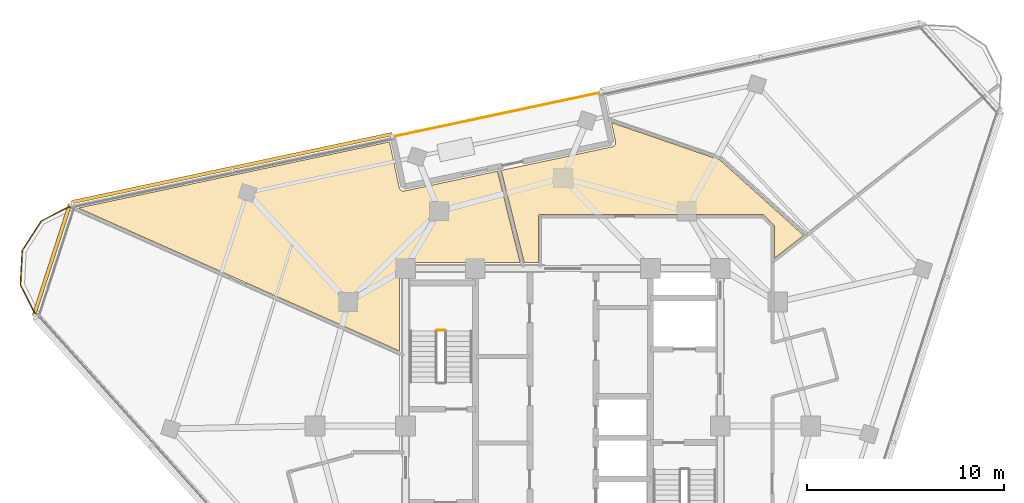
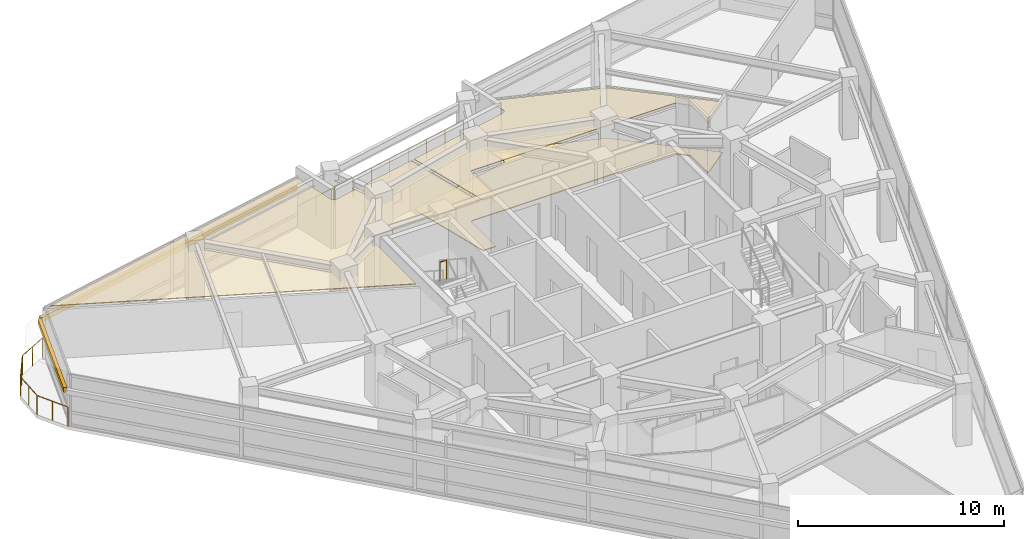
# One storey, part 14 of 15: 3 coverings, 3 railings, 2 shading devices.
"""IFC4 building model written with IfcOpenShell, lengths in metres."""

from ifc_helpers import new_model, si_unit, direction, frame, origin, origin_2d, place, context, subcontext, project, spatial, polyline, rectangle, circle, outline, extrude, material, layer, layer_set, type_object, element, save


model = new_model("IFC4")

# Units and contexts
model_context = context("Model", 3, precision=1e-05, world=origin(), true_north=direction((0.0, 1.0)))
body_context = subcontext(model_context, "Body", "Model", "MODEL_VIEW")
ifc_project = project(units=[si_unit("LENGTHUNIT", "METRE"), si_unit("AREAUNIT", "SQUARE_METRE"), si_unit("VOLUMEUNIT", "CUBIC_METRE"), si_unit("PLANEANGLEUNIT", "RADIAN"), si_unit("MASSUNIT", "GRAM", prefix="KILO")], contexts=[model_context])

# Site, building, storey
site_placement = place(None, origin())
site = spatial("IfcSite", under=ifc_project, at=site_placement, CompositionType="ELEMENT")
building_placement = place(site_placement, origin())
building = spatial("IfcBuilding", under=site, at=building_placement, Name="Terralouvre Media Tower", CompositionType="ELEMENT")
storey_placement = place(building_placement, frame((0.0, 0.0, 290.60009765625)))
storey = spatial("IfcBuildingStorey", under=building, at=storey_placement, Name="L75", CompositionType="ELEMENT", Elevation=290.60009765625)

# Coverings
ifc_material_1 = material(Name="Resilient elastomer acoustic broadcast studio flooring")
ifc_layer_1 = layer(ifc_material_1, 0.050048828125, Name="Broadcast Studio Acoustic Floating Floor FL-AC1")
ifc_layer_set_1 = layer_set([ifc_layer_1], Name="Resilient elastomer acoustic broadcast studio flooring")
covering_type_1 = type_object("IfcCoveringType", Name="Broadcast Studio Acoustic Floating Floor FL-AC1", PredefinedType="FLOORING", material=ifc_layer_set_1)
covering_1_placement = place(storey_placement, frame((0.0, 0.0, 0.0), z_axis=(0.0, 0.0, 1.0), x_axis=(0.309016994375, 0.951056516295, 0.0)))
element("IfcCovering", 1, at=covering_1_placement, inside=storey, type_object=covering_type_1, Name="L75 Media Reference Library 7 Acoustic Floating Floor", PredefinedType="FLOORING", context=body_context, shape_type="SweptSolid", body=[
    extrude(outline(polyline([(7.51708984375, 3.7568359375), (9.742431640625, 4.479736328125), (9.751953125, 4.482421875), (9.76171875, 4.484130859375), (9.771484375, 4.484619140625), (9.78125, 4.484375), (9.791015625, 4.483154296875), (9.800537109375, 4.48095703125), (9.809814453125, 4.477783203125), (9.81884765625, 4.473876953125), (9.827392578125, 4.468994140625), (9.835205078125, 4.46337890625), (9.8427734375, 4.456787109375), (9.849365234375, 4.44970703125), (9.85546875, 4.44189453125), (9.860595703125, 4.43359375), (9.864990234375, 4.4248046875), (9.868408203125, 4.41552734375), (13.3603515625, -6.331298828125), (13.363037109375, -6.3408203125), (13.364501953125, -6.350341796875), (13.365234375, -6.360107421875), (13.364990234375, -6.3701171875), (13.36376953125, -6.379638671875), (13.361572265625, -6.389404296875), (13.3583984375, -6.398681640625), (13.354248046875, -6.407470703125), (13.033447265625, -7.03759765625), (13.0283203125, -7.046142578125), (13.022705078125, -7.05419921875), (13.016357421875, -7.0615234375), (13.00927734375, -7.068359375), (13.00146484375, -7.07421875), (12.9931640625, -7.07958984375), (12.984375, -7.083740234375), (12.97509765625, -7.08740234375), (11.4306640625, -7.589111328125), (12.990966796875, -8.64208984375), (15.326171875, -3.3974609375), (15.4267578125, 2.417724609375), (14.5673828125, 1.920654296875), (14.564697265625, 1.919189453125), (14.554931640625, 1.9140625), (14.546630859375, 1.91015625), (14.538330078125, 1.906982421875), (14.515380859375, 1.8994140625), (14.5068359375, 1.89697265625), (14.498046875, 1.8955078125), (14.487548828125, 1.89404296875), (14.476318359375, 1.892333984375), (14.46728515625, 1.891357421875), (14.4580078125, 1.891357421875), (14.4462890625, 1.891845703125), (14.4384765625, 1.892333984375), (14.426513671875, 1.893798828125), (14.415283203125, 1.895751953125), (14.404052734375, 1.898193359375), (14.397216796875, 1.900146484375), (14.385498046875, 1.903564453125), (14.377197265625, 1.906494140625), (14.369384765625, 1.91015625), (14.359130859375, 1.915283203125), (14.34912109375, 1.92041015625), (14.339599609375, 1.926025390625), (14.328857421875, 1.932861328125), (14.318115234375, 1.941162109375), (14.309326171875, 1.94873046875), (14.303955078125, 1.9541015625), (14.2958984375, 1.9619140625), (14.288330078125, 1.970703125), (14.28125, 1.979736328125), (14.275146484375, 1.98828125), (14.268798828125, 1.998779296875), (14.266845703125, 2.001953125), (11.38427734375, 6.9951171875), (7.294921875, 4.4404296875), (7.51708984375, 3.7568359375)])), origin(), (0.0, 0.0, 1.0), 0.0498046875),
])
ifc_material_2 = material(Name="Perforated aluminium acoustic ceiling baffle", Category="aluminium")
ifc_layer_2 = layer(ifc_material_2, 0.0400390625, Name="Perforated Acoustic Metal Tile Ceiling CL-AC1")
ifc_layer_set_2 = layer_set([ifc_layer_2], Name="Perforated aluminium acoustic ceiling baffle")
covering_type_2 = type_object("IfcCoveringType", Name="Perforated Acoustic Metal Tile Ceiling CL-AC1", PredefinedType="CEILING", material=ifc_layer_set_2)
covering_2_placement = place(storey_placement, frame((0.0, 0.0, 2.97998046875), z_axis=(0.0, 0.0, 1.0), x_axis=(0.309016994375, 0.951056516295, 0.0)))
element("IfcCovering", 2, at=covering_2_placement, inside=storey, type_object=covering_type_2, Name="L75 Media Reference Library 7 Acoustic Ceiling", PredefinedType="CEILING", context=body_context, shape_type="SweptSolid", body=[
    extrude(outline(polyline([(7.51708984375, 3.7568359375), (9.742431640625, 4.479736328125), (9.751953125, 4.482421875), (9.76171875, 4.484130859375), (9.771484375, 4.484619140625), (9.78125, 4.484375), (9.791015625, 4.483154296875), (9.800537109375, 4.48095703125), (9.809814453125, 4.477783203125), (9.81884765625, 4.473876953125), (9.827392578125, 4.468994140625), (9.835205078125, 4.46337890625), (9.8427734375, 4.456787109375), (9.849365234375, 4.44970703125), (9.85546875, 4.44189453125), (9.860595703125, 4.43359375), (9.864990234375, 4.4248046875), (9.868408203125, 4.41552734375), (13.3603515625, -6.331298828125), (13.363037109375, -6.3408203125), (13.364501953125, -6.350341796875), (13.365234375, -6.360107421875), (13.364990234375, -6.3701171875), (13.36376953125, -6.379638671875), (13.361572265625, -6.389404296875), (13.3583984375, -6.398681640625), (13.354248046875, -6.407470703125), (13.033447265625, -7.03759765625), (13.0283203125, -7.046142578125), (13.022705078125, -7.05419921875), (13.016357421875, -7.0615234375), (13.00927734375, -7.068359375), (13.00146484375, -7.07421875), (12.9931640625, -7.07958984375), (12.984375, -7.083740234375), (12.97509765625, -7.08740234375), (11.4306640625, -7.589111328125), (12.990966796875, -8.64208984375), (15.326171875, -3.3974609375), (15.4267578125, 2.417724609375), (14.5673828125, 1.920654296875), (14.564697265625, 1.919189453125), (14.554931640625, 1.9140625), (14.546630859375, 1.91015625), (14.538330078125, 1.906982421875), (14.515380859375, 1.8994140625), (14.5068359375, 1.89697265625), (14.498046875, 1.8955078125), (14.487548828125, 1.89404296875), (14.476318359375, 1.892333984375), (14.46728515625, 1.891357421875), (14.4580078125, 1.891357421875), (14.4462890625, 1.891845703125), (14.4384765625, 1.892333984375), (14.426513671875, 1.893798828125), (14.415283203125, 1.895751953125), (14.404052734375, 1.898193359375), (14.397216796875, 1.900146484375), (14.385498046875, 1.903564453125), (14.377197265625, 1.906494140625), (14.369384765625, 1.91015625), (14.359130859375, 1.915283203125), (14.34912109375, 1.92041015625), (14.339599609375, 1.926025390625), (14.328857421875, 1.932861328125), (14.318115234375, 1.941162109375), (14.309326171875, 1.94873046875), (14.303955078125, 1.9541015625), (14.2958984375, 1.9619140625), (14.288330078125, 1.970703125), (14.28125, 1.979736328125), (14.275146484375, 1.98828125), (14.268798828125, 1.998779296875), (14.266845703125, 2.001953125), (11.38427734375, 6.9951171875), (7.294921875, 4.4404296875), (7.51708984375, 3.7568359375)])), origin(), (0.0, 0.0, 1.0), 0.0400390625),
])
covering_3_placement = place(storey_placement, frame((0.0, 0.0, 2.97998046875), z_axis=(0.0, 0.0, 1.0), x_axis=(0.309016994375, 0.951056516295, 0.0)))
element("IfcCovering", 3, at=covering_3_placement, inside=storey, type_object=covering_type_2, Name="L75 Periodicals Reading Club 8 Acoustic Ceiling", PredefinedType="CEILING", context=body_context, shape_type="SweptSolid", body=[
    extrude(outline(polyline([(1.0546875, 9.080322265625), (5.240234375, 10.4404296875), (5.249755859375, 10.44287109375), (5.25927734375, 10.444580078125), (5.26904296875, 10.445068359375), (5.279052734375, 10.44482421875), (5.28857421875, 10.443603515625), (5.29833984375, 10.44140625), (5.3076171875, 10.438232421875), (5.316650390625, 10.434326171875), (5.324951171875, 10.429443359375), (5.3330078125, 10.423828125), (5.340576171875, 10.417236328125), (5.34716796875, 10.41015625), (5.353271484375, 10.40234375), (5.3583984375, 10.39404296875), (5.36279296875, 10.38525390625), (5.3662109375, 10.376220703125), (7.231201171875, 4.636474609375), (11.2841796875, 7.16845703125), (8.8671875, 11.35498046875), (8.86572265625, 11.357666015625), (8.860595703125, 11.367431640625), (8.856201171875, 11.376220703125), (8.8515625, 11.387451171875), (8.848876953125, 11.395263671875), (8.844970703125, 11.406494140625), (8.8427734375, 11.41455078125), (8.84130859375, 11.422607421875), (8.839599609375, 11.4345703125), (8.83837890625, 11.444580078125), (8.83740234375, 11.467529296875), (8.83740234375, 11.4755859375), (8.837890625, 11.483642578125), (8.83935546875, 11.49560546875), (8.84130859375, 11.506591796875), (8.843994140625, 11.51806640625), (8.845703125, 11.52490234375), (8.84912109375, 11.53662109375), (8.85205078125, 11.544677734375), (8.855712890625, 11.552734375), (8.86083984375, 11.562744140625), (8.86376953125, 11.56787109375), (8.869873046875, 11.578369140625), (8.8759765625, 11.588623046875), (8.880859375, 11.596435546875), (8.88671875, 11.603759765625), (8.89453125, 11.612548828125), (8.90234375, 11.62060546875), (8.9111328125, 11.62890625), (8.917236328125, 11.634033203125), (8.92626953125, 11.64111328125), (8.93310546875, 11.64599609375), (8.942626953125, 11.65234375), (8.947509765625, 11.6552734375), (11.0087890625, 12.845703125), (2.922607421875, 26.850341796875), (1.0546875, 9.080322265625)])), origin(), (0.0, 0.0, 1.0), 0.0400390625),
])

# Railings
ifc_material_3 = material(Name="Stainless steel 316 handrail and balustrade", Category="steel")
ifc_layer_3 = layer(ifc_material_3, 0.06005859375, Name="Roof Edge Safety Guardrail GR-ROOF1")
ifc_layer_set_3 = layer_set([ifc_layer_3], Name="Stainless steel 316 handrail and balustrade")
railing_type_1 = type_object("IfcRailingType", Name="Roof Edge Safety Guardrail GR-ROOF1", PredefinedType="GUARDRAIL", material=ifc_layer_set_3)
railing_1_placement = place(storey_placement, frame((1.918701171875, 16.945556640625, 0.0)))
element("IfcRailing", 4, at=railing_1_placement, inside=storey, type_object=railing_type_1, Name="L75 WP Outer Edge Glass Balustrade", PredefinedType="GUARDRAIL", context=body_context, shape_type="SweptSolid", body=[
    extrude(circle(Radius=0.02392578125, at=origin_2d()), frame((0.0, 0.0, 1.1259765625), z_axis=(-0.978149082982, -0.207904717268, 0.0), x_axis=(0.207904717268, -0.978149082982, 0.0)), (0.0, 0.0, 1.0), 10.800048828125),
    extrude(circle(Radius=0.02099609375, at=origin_2d()), origin(), (0.0, 0.0, 1.0), 1.101806640625),
    extrude(circle(Radius=0.02099609375, at=origin_2d()), frame((-1.173828125, -0.24951171875, 0.0)), (0.0, 0.0, 1.0), 1.101806640625),
    extrude(circle(Radius=0.02099609375, at=origin_2d()), frame((-2.34765625, -0.4990234375, 0.0)), (0.0, 0.0, 1.0), 1.101806640625),
    extrude(circle(Radius=0.02099609375, at=origin_2d()), frame((-3.521240234375, -0.74853515625, 0.0)), (0.0, 0.0, 1.0), 1.101806640625),
    extrude(circle(Radius=0.02099609375, at=origin_2d()), frame((-4.695068359375, -0.998046875, 0.0)), (0.0, 0.0, 1.0), 1.101806640625),
    extrude(circle(Radius=0.02099609375, at=origin_2d()), frame((-5.868896484375, -1.247314453125, 0.0)), (0.0, 0.0, 1.0), 1.101806640625),
    extrude(circle(Radius=0.02099609375, at=origin_2d()), frame((-7.042724609375, -1.496826171875, 0.0)), (0.0, 0.0, 1.0), 1.101806640625),
    extrude(circle(Radius=0.02099609375, at=origin_2d()), frame((-8.21630859375, -1.746337890625, 0.0)), (0.0, 0.0, 1.0), 1.101806640625),
    extrude(circle(Radius=0.02099609375, at=origin_2d()), frame((-9.39013671875, -1.995849609375, 0.0)), (0.0, 0.0, 1.0), 1.101806640625),
    extrude(circle(Radius=0.02099609375, at=origin_2d()), frame((-10.56396484375, -2.245361328125, 0.0)), (0.0, 0.0, 1.0), 1.101806640625),
])
railing_2_placement = place(storey_placement, frame((-24.927490234375, 11.230224609375, 0.0)))
element("IfcRailing", 5, at=railing_2_placement, inside=storey, type_object=railing_type_1, Name="L75 Wind-Corner Perimeter Safety Guardrail C2", PredefinedType="GUARDRAIL", context=body_context, shape_type="SweptSolid", body=[
    extrude(circle(Radius=0.02099609375, at=origin_2d()), frame((0.0, 0.0, 1.12890625), z_axis=(-0.891111697267, -0.453784026817, 0.0), x_axis=(0.453784026817, -0.891111697267, 0.0)), (0.0, 0.0, 1.0), 1.7802734375),
    extrude(circle(Radius=0.02099609375, at=origin_2d()), frame((-1.58642578125, -0.807861328125, 1.12890625), z_axis=(-0.544752056661, -0.838597160002, 0.0), x_axis=(0.838597160002, -0.544752056661, 0.0)), (0.0, 0.0, 1.0), 1.77978515625),
    extrude(circle(Radius=0.02099609375, at=origin_2d()), frame((-2.555908203125, -2.30029296875, 1.12890625), z_axis=(-0.052126837836, -0.998640472231, 0.0), x_axis=(0.998640472231, -0.052126837836, 0.0)), (0.0, 0.0, 1.0), 1.77978515625),
    extrude(circle(Radius=0.02099609375, at=origin_2d()), frame((-2.648681640625, -4.07763671875, 1.12890625), z_axis=(0.454221597143, -0.890888736425, 0.0), x_axis=(0.890888736425, 0.454221597143, 0.0)), (0.0, 0.0, 1.0), 1.7802734375),
    extrude(circle(Radius=0.01904296875, at=origin_2d()), origin(), (0.0, 0.0, 1.0), 1.10791015625),
    extrude(circle(Radius=0.01904296875, at=origin_2d()), frame((-0.793212890625, -0.40380859375, 0.0)), (0.0, 0.0, 1.0), 1.10791015625),
    extrude(circle(Radius=0.01904296875, at=origin_2d()), frame((-1.58642578125, -0.807861328125, 0.0)), (0.0, 0.0, 1.0), 1.10791015625),
    extrude(circle(Radius=0.01904296875, at=origin_2d()), frame((-2.0712890625, -1.55419921875, 0.0)), (0.0, 0.0, 1.0), 1.10791015625),
    extrude(circle(Radius=0.01904296875, at=origin_2d()), frame((-2.555908203125, -2.30029296875, 0.0)), (0.0, 0.0, 1.0), 1.10791015625),
    extrude(circle(Radius=0.01904296875, at=origin_2d()), frame((-2.602294921875, -3.18896484375, 0.0)), (0.0, 0.0, 1.0), 1.10791015625),
    extrude(circle(Radius=0.01904296875, at=origin_2d()), frame((-2.648681640625, -4.07763671875, 0.0)), (0.0, 0.0, 1.0), 1.10791015625),
    extrude(circle(Radius=0.01904296875, at=origin_2d()), frame((-2.244384765625, -4.87060546875, 0.0)), (0.0, 0.0, 1.0), 1.10791015625),
    extrude(circle(Radius=0.01904296875, at=origin_2d()), frame((-1.840087890625, -5.66357421875, 0.0)), (0.0, 0.0, 1.0), 1.10791015625),
])
ifc_material_4 = material(Name="Stainless steel 316 handrail and balustrade", Category="steel")
ifc_layer_4 = layer(ifc_material_4, 0.050048828125, Name="Stairwell Safety Guardrail GR-INT1")
ifc_layer_set_4 = layer_set([ifc_layer_4], Name="Stainless steel 316 handrail and balustrade")
railing_type_2 = type_object("IfcRailingType", Name="Stairwell Safety Guardrail GR-INT1", PredefinedType="GUARDRAIL", material=ifc_layer_set_4)
railing_3_placement = place(storey_placement, frame((-6.0, 4.8701171875, 1.849853515625)))
element("IfcRailing", 6, at=railing_3_placement, inside=storey, type_object=railing_type_2, Name="L75 ST-01 stair guard 2", PredefinedType="GUARDRAIL", context=body_context, shape_type="SweptSolid", body=[
    extrude(circle(Radius=0.02392578125, at=origin_2d()), frame((0.0, 0.0, 1.1259765625), z_axis=(-1.0, 0.0, 0.0), x_axis=(0.0, -1.0, 0.0)), (0.0, 0.0, 1.0), 0.3798828125),
    extrude(circle(Radius=0.02099609375, at=origin_2d()), origin(), (0.0, 0.0, 1.0), 1.101806640625),
    extrude(circle(Radius=0.02099609375, at=origin_2d()), frame((-0.3798828125, 0.0, 0.0)), (0.0, 0.0, 1.0), 1.101806640625),
])

# Shading devices
ifc_material_5 = material(Name="Extruded terracotta baguette sunshade louvres", Category="masonry")
shading_device_type = type_object("IfcShadingDeviceType", Name="Terracotta Baguette Sunshade Louvre Screen TB-LV1", PredefinedType="USERDEFINED", material=ifc_material_5)
shading_device_1_placement = place(storey_placement, frame((-16.822265625, 13.105224609375, 2.02392578125), z_axis=(0.0, 0.0, 1.0), x_axis=(-0.978147684351, -0.20791129743, 0.0)))
element("IfcShadingDevice", 7, at=shading_device_1_placement, inside=storey, type_object=shading_device_type, Name="CW-L75-F1R Terracotta Baguette Sunshade Louvre", ObjectType="BAGUETTE", PredefinedType="USERDEFINED", context=body_context, shape_type="SweptSolid", body=[
    extrude(rectangle(XDim=16.659912109375, YDim=0.179931640625, at=origin_2d()), origin(), (0.0, 0.0, 1.0), 0.280029296875),
])
shading_device_2_placement = place(storey_placement, frame((-25.975830078125, 8.440185546875, 2.02392578125), z_axis=(0.0, 0.0, 1.0), x_axis=(-0.30901654693, -0.951056661679, 0.0)))
element("IfcShadingDevice", 8, at=shading_device_2_placement, inside=storey, type_object=shading_device_type, Name="CW-L75-C2 Terracotta Baguette Sunshade Louvre", ObjectType="BAGUETTE", PredefinedType="USERDEFINED", context=body_context, shape_type="SweptSolid", body=[
    extrude(rectangle(XDim=5.958251953125, YDim=0.179931640625, at=origin_2d()), origin(), (0.0, 0.0, 1.0), 0.280029296875),
])

save(model, "model.ifc")
